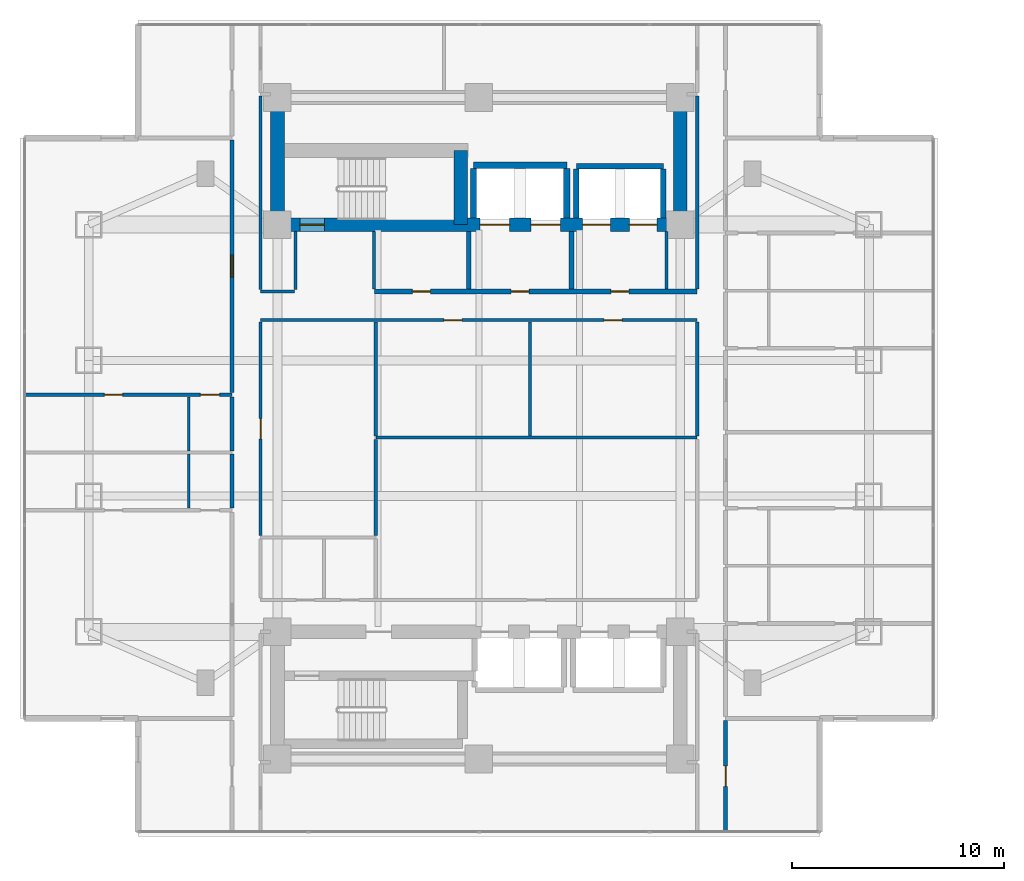
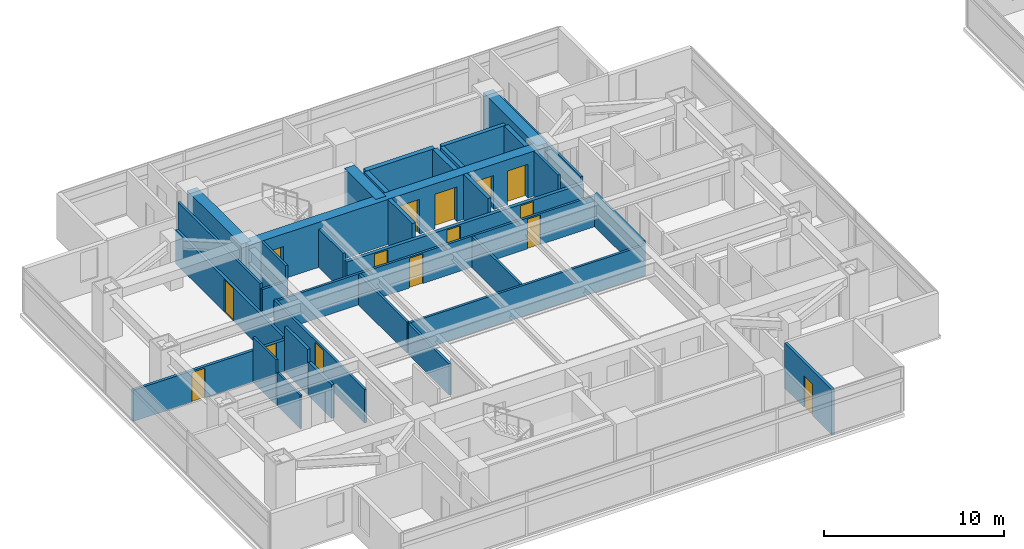
# One storey, part 13 of 24: 33 walls, 15 doors, 15 openings.
"""IFC4 building model written with IfcOpenShell, lengths in metres."""

from ifc_helpers import new_model, si_unit, direction, frame, frame_2d, origin, place, context, subcontext, project, spatial, rectangle, extrude, material, layer, layer_set, type_object, element, fill, save


model = new_model("IFC4")

# Units and contexts
model_context = context("Model", 3, precision=1e-05, world=origin(), true_north=direction((0.0, 1.0)))
body_context = subcontext(model_context, "Body", "Model", "MODEL_VIEW")
ifc_project = project(units=[si_unit("LENGTHUNIT", "METRE"), si_unit("AREAUNIT", "SQUARE_METRE"), si_unit("VOLUMEUNIT", "CUBIC_METRE"), si_unit("PLANEANGLEUNIT", "RADIAN"), si_unit("MASSUNIT", "GRAM", prefix="KILO")], contexts=[model_context])

# Site, building, storey
site_placement = place(None, origin())
site = spatial("IfcSite", under=ifc_project, at=site_placement, CompositionType="ELEMENT")
building_placement = place(site_placement, origin())
building = spatial("IfcBuilding", under=site, at=building_placement, Name="Mirazonda Arch Towers", CompositionType="ELEMENT")
storey_placement = place(building_placement, frame((0.0, 0.0, 62.0)))
storey = spatial("IfcBuildingStorey", under=building, at=storey_placement, Name="L17", CompositionType="ELEMENT", Elevation=62.0)

# Walls
ifc_material_1 = material(Name="Concrete C60/75", Category="concrete")
ifc_layer_1 = layer(ifc_material_1, 0.64990234375, Name="WALL-CORE-650")
ifc_layer_set_1 = layer_set([ifc_layer_1], Name="Concrete C60/75")
wall_type_1 = type_object("IfcWallType", Name="WALL-CORE-650", PredefinedType="SHEAR", material=ifc_layer_set_1)
for number, where, z_axis, x_axis, name in (
    (1, (11.0, 37.60009765625, 0.0), (0.0, 0.0, 1.0), (0.0, 1.0, 0.0), "L17 T1N-W Core Shear Wall"),
    (2, (30.0, 37.60009765625, 0.0), (0.0, 0.0, 1.0), (0.0, 1.0, 0.0), "L17 T1N-E Core Shear Wall"),
):
    element("IfcWall", number, at=place(storey_placement, frame(where, z_axis=z_axis, x_axis=x_axis)), inside=storey, type_object=wall_type_1, Name=name, PredefinedType="SHEAR", context=body_context, shape_type="SweptSolid", body=[
        extrude(rectangle(XDim=6.0, YDim=0.64990234375, at=frame_2d((3.0, 0.0))), origin(), (0.0, 0.0, 1.0), 3.06005859375),
    ])

# Wall, openings, doors
wall_1_placement = place(storey_placement, frame((11.0, 37.60009765625, 0.0), z_axis=(0.0, 0.0, 1.0), x_axis=(1.0, 0.0, 0.0)))
wall_1 = element("IfcWall", 3, at=wall_1_placement, inside=storey, type_object=wall_type_1, Name="L17 T1N-S Core Shear Wall", PredefinedType="SHEAR", context=body_context, shape_type="SweptSolid", body=[
    extrude(rectangle(XDim=19.0, YDim=0.64990234375, at=frame_2d((9.5, 0.0))), origin(), (0.0, 0.0, 1.0), 3.06005859375),
])
opening_1_placement = place(wall_1_placement, frame((1.06005859375, 0.0, 0.0)))
opening_1 = element("IfcOpeningElement", 4, at=opening_1_placement, cuts=wall_1, Name="Opening DR-135", PredefinedType="OPENING", context=body_context, shape_type="SweptSolid", body=[
    extrude(rectangle(XDim=1.14990234375, YDim=2.199951171875, at=frame_2d((0.574951171875, 1.10009765625))), frame((0.0, 0.3349609375, 0.0), z_axis=(0.0, -1.0, 0.0), x_axis=(1.0, 0.0, 0.0)), (0.0, 0.0, 1.0), 0.669921875),
])
opening_2_placement = place(wall_1_placement, frame((9.550048828125, 0.0, 0.0)))
opening_2 = element("IfcOpeningElement", 5, at=opening_2_placement, cuts=wall_1, Name="Opening LD-112", PredefinedType="OPENING", context=body_context, shape_type="SweptSolid", body=[
    extrude(rectangle(XDim=1.39990234375, YDim=2.35009765625, at=frame_2d((0.699951171875, 1.175048828125))), frame((0.0, 0.3349609375, 0.0), z_axis=(0.0, -1.0, 0.0), x_axis=(1.0, 0.0, 0.0)), (0.0, 0.0, 1.0), 0.669921875),
])
opening_3_placement = place(wall_1_placement, frame((11.949951171875, 0.0, 0.0)))
opening_3 = element("IfcOpeningElement", 6, at=opening_3_placement, cuts=wall_1, Name="Opening LD-112", PredefinedType="OPENING", context=body_context, shape_type="SweptSolid", body=[
    extrude(rectangle(XDim=1.39990234375, YDim=2.35009765625, at=frame_2d((0.699951171875, 1.175048828125))), frame((0.0, 0.3349609375, 0.0), z_axis=(0.0, -1.0, 0.0), x_axis=(1.0, 0.0, 0.0)), (0.0, 0.0, 1.0), 0.669921875),
])
opening_4_placement = place(wall_1_placement, frame((14.39990234375, 0.0, 0.0)))
opening_4 = element("IfcOpeningElement", 7, at=opening_4_placement, cuts=wall_1, Name="Opening LD-111", PredefinedType="OPENING", context=body_context, shape_type="SweptSolid", body=[
    extrude(rectangle(XDim=1.300048828125, YDim=2.300048828125, at=frame_2d((0.64990234375, 1.14990234375))), frame((0.0, 0.3349609375, 0.0), z_axis=(0.0, -1.0, 0.0), x_axis=(1.0, 0.0, 0.0)), (0.0, 0.0, 1.0), 0.669921875),
])
opening_5_placement = place(wall_1_placement, frame((16.60009765625, 0.0, 0.0)))
opening_5 = element("IfcOpeningElement", 8, at=opening_5_placement, cuts=wall_1, Name="Opening LD-111", PredefinedType="OPENING", context=body_context, shape_type="SweptSolid", body=[
    extrude(rectangle(XDim=1.300048828125, YDim=2.300048828125, at=frame_2d((0.64990234375, 1.14990234375))), frame((0.0, 0.3349609375, 0.0), z_axis=(0.0, -1.0, 0.0), x_axis=(1.0, 0.0, 0.0)), (0.0, 0.0, 1.0), 0.669921875),
])
ifc_material_2 = material(Name="Architectural Brushed Steel S355", Category="steel")
door_type_1 = type_object("IfcDoorType", Name="DOOR-LIFT-FFL-1400", OperationType="NOTDEFINED", PredefinedType="DOOR", material=ifc_material_2)
door_1_placement = place(opening_2_placement, origin())
door_1 = element("IfcDoor", 9, at=door_1_placement, inside=storey, type_object=door_type_1, Name="L17 Lift Landing Sliding Door FFL-T1", OperationType="DOUBLE_DOOR_SLIDING", OverallHeight=2.35009765625, OverallWidth=1.39990234375, PredefinedType="DOOR", context=body_context, shape_type="SweptSolid", body=[
    extrude(rectangle(XDim=1.39990234375, YDim=2.35009765625, at=frame_2d((0.699951171875, 1.175048828125))), frame((0.0, 0.02490234375, 0.0), z_axis=(0.0, -1.0, 0.0), x_axis=(1.0, 0.0, 0.0)), (0.0, 0.0, 1.0), 0.050048828125),
])
fill(opening_2, door_1)
door_2_placement = place(opening_3_placement, origin())
door_2 = element("IfcDoor", 10, at=door_2_placement, inside=storey, type_object=door_type_1, Name="L17 Lift Landing Sliding Door SVL-T1", OperationType="DOUBLE_DOOR_SLIDING", OverallHeight=2.35009765625, OverallWidth=1.39990234375, PredefinedType="DOOR", context=body_context, shape_type="SweptSolid", body=[
    extrude(rectangle(XDim=1.39990234375, YDim=2.35009765625, at=frame_2d((0.699951171875, 1.175048828125))), frame((0.0, 0.02490234375, 0.0), z_axis=(0.0, -1.0, 0.0), x_axis=(1.0, 0.0, 0.0)), (0.0, 0.0, 1.0), 0.050048828125),
])
fill(opening_3, door_2)
door_type_2 = type_object("IfcDoorType", Name="DOOR-LIFT-LAND-1300", OperationType="NOTDEFINED", PredefinedType="DOOR", material=ifc_material_2)
door_3_placement = place(opening_4_placement, origin())
door_3 = element("IfcDoor", 11, at=door_3_placement, inside=storey, type_object=door_type_2, Name="L17 Lift Landing Sliding Door PL-T1L1", OperationType="DOUBLE_DOOR_SLIDING", OverallHeight=2.300048828125, OverallWidth=1.300048828125, PredefinedType="DOOR", context=body_context, shape_type="SweptSolid", body=[
    extrude(rectangle(XDim=1.300048828125, YDim=2.300048828125, at=frame_2d((0.64990234375, 1.14990234375))), frame((0.0, 0.02490234375, 0.0), z_axis=(0.0, -1.0, 0.0), x_axis=(1.0, 0.0, 0.0)), (0.0, 0.0, 1.0), 0.050048828125),
])
fill(opening_4, door_3)
door_4_placement = place(opening_5_placement, origin())
door_4 = element("IfcDoor", 12, at=door_4_placement, inside=storey, type_object=door_type_2, Name="L17 Lift Landing Sliding Door PL-T1L2", OperationType="DOUBLE_DOOR_SLIDING", OverallHeight=2.300048828125, OverallWidth=1.300048828125, PredefinedType="DOOR", context=body_context, shape_type="SweptSolid", body=[
    extrude(rectangle(XDim=1.300048828125, YDim=2.300048828125, at=frame_2d((0.64990234375, 1.14990234375))), frame((0.0, 0.02490234375, 0.0), z_axis=(0.0, -1.0, 0.0), x_axis=(1.0, 0.0, 0.0)), (0.0, 0.0, 1.0), 0.050048828125),
])
fill(opening_5, door_4)
door_type_3 = type_object("IfcDoorType", Name="DOOR-STAIR-FD90-1150", OperationType="NOTDEFINED", PredefinedType="DOOR", material=ifc_material_2)
door_5_placement = place(opening_1_placement, origin())
door_5 = element("IfcDoor", 13, at=door_5_placement, inside=storey, type_object=door_type_3, Name="L17 Protected Exit Stair North Door", OperationType="SINGLE_SWING_LEFT", OverallHeight=2.199951171875, OverallWidth=1.14990234375, PredefinedType="DOOR", context=body_context, shape_type="SweptSolid", body=[
    extrude(rectangle(XDim=1.14990234375, YDim=2.199951171875, at=frame_2d((0.574951171875, 1.10009765625))), frame((0.0, 0.02490234375, 0.0), z_axis=(0.0, -1.0, 0.0), x_axis=(1.0, 0.0, 0.0)), (0.0, 0.0, 1.0), 0.050048828125),
])
fill(opening_1, door_5)

# Wall
wall_2_placement = place(storey_placement, frame((19.64990234375, 37.60009765625, 0.0), z_axis=(0.0, 0.0, 1.0), x_axis=(0.0, 1.0, 0.0)))
element("IfcWall", 14, at=wall_2_placement, inside=storey, type_object=wall_type_1, Name="L17 T1N-STE Core Shear Wall", PredefinedType="SHEAR", context=body_context, shape_type="SweptSolid", body=[
    extrude(rectangle(XDim=3.492919921875, YDim=0.64990234375, at=frame_2d((1.74658203125, 0.0))), origin(), (0.0, 0.0, 1.0), 3.06005859375),
])

# Wall, openings, doors
ifc_material_3 = material(Name="Concrete C40/50", Category="concrete")
ifc_layer_2 = layer(ifc_material_3, 0.219970703125, Name="WALL-FFL-220")
ifc_layer_set_2 = layer_set([ifc_layer_2], Name="Concrete C40/50")
wall_type_2 = type_object("IfcWallType", Name="WALL-FFL-220", PredefinedType="SOLIDWALL", material=ifc_layer_set_2)
wall_3_placement = place(storey_placement, frame((15.590087890625, 34.449951171875, 0.0), z_axis=(0.0, 0.0, 1.0), x_axis=(1.0, 0.0, 0.0)))
wall_3 = element("IfcWall", 15, at=wall_3_placement, inside=storey, type_object=wall_type_2, Name="L17 Interior Partition 043", PredefinedType="SOLIDWALL", context=body_context, shape_type="SweptSolid", body=[
    extrude(rectangle(XDim=15.2099609375, YDim=0.219970703125, at=frame_2d((7.60498046875, 0.0))), origin(), (0.0, 0.0, 1.0), 2.10400390625),
])
opening_6_placement = place(wall_3_placement, frame((6.43505859375, 0.0, 0.0)))
opening_6 = element("IfcOpeningElement", 16, at=opening_6_placement, cuts=wall_3, Name="Opening DR-128", PredefinedType="OPENING", context=body_context, shape_type="SweptSolid", body=[
    extrude(rectangle(XDim=0.85009765625, YDim=2.010009765625, at=frame_2d((0.425048828125, 1.0048828125))), frame((0.0, 0.119873046875, 0.0), z_axis=(0.0, -1.0, 0.0), x_axis=(1.0, 0.0, 0.0)), (0.0, 0.0, 1.0), 0.239990234375),
])
opening_7_placement = place(wall_3_placement, frame((11.135009765625, 0.0, 0.0)))
opening_7 = element("IfcOpeningElement", 17, at=opening_7_placement, cuts=wall_3, Name="Opening DR-128", PredefinedType="OPENING", context=body_context, shape_type="SweptSolid", body=[
    extrude(rectangle(XDim=0.85009765625, YDim=2.010009765625, at=frame_2d((0.425048828125, 1.0048828125))), frame((0.0, 0.119873046875, 0.0), z_axis=(0.0, -1.0, 0.0), x_axis=(1.0, 0.0, 0.0)), (0.0, 0.0, 1.0), 0.239990234375),
])
opening_8_placement = place(wall_3_placement, frame((1.77490234375, 0.0, 0.0)))
opening_8 = element("IfcOpeningElement", 18, at=opening_8_placement, cuts=wall_3, Name="Opening DR-128", PredefinedType="OPENING", context=body_context, shape_type="SweptSolid", body=[
    extrude(rectangle(XDim=0.85009765625, YDim=2.010009765625, at=frame_2d((0.425048828125, 1.0048828125))), frame((0.0, 0.119873046875, 0.0), z_axis=(0.0, -1.0, 0.0), x_axis=(1.0, 0.0, 0.0)), (0.0, 0.0, 1.0), 0.239990234375),
])
door_type_4 = type_object("IfcDoorType", Name="DOOR-RISER-FD60-850", OperationType="NOTDEFINED", PredefinedType="DOOR", material=ifc_material_2)
door_6_placement = place(opening_6_placement, origin())
door_6 = element("IfcDoor", 19, at=door_6_placement, inside=storey, type_object=door_type_4, Name="L17 Firefighting Lift Lobby Door", OperationType="SINGLE_SWING_RIGHT", OverallHeight=2.010009765625, OverallWidth=0.85009765625, PredefinedType="DOOR", context=body_context, shape_type="SweptSolid", body=[
    extrude(rectangle(XDim=0.85009765625, YDim=2.010009765625, at=frame_2d((0.425048828125, 1.0048828125))), frame((0.0, 0.02490234375, 0.0), z_axis=(0.0, -1.0, 0.0), x_axis=(1.0, 0.0, 0.0)), (0.0, 0.0, 1.0), 0.050048828125),
])
fill(opening_6, door_6)
door_7_placement = place(opening_7_placement, origin())
door_7 = element("IfcDoor", 20, at=door_7_placement, inside=storey, type_object=door_type_4, Name="L17 Passenger Lift Lobby North Door", OperationType="SINGLE_SWING_LEFT", OverallHeight=2.010009765625, OverallWidth=0.85009765625, PredefinedType="DOOR", context=body_context, shape_type="SweptSolid", body=[
    extrude(rectangle(XDim=0.85009765625, YDim=2.010009765625, at=frame_2d((0.425048828125, 1.0048828125))), frame((0.0, 0.02490234375, 0.0), z_axis=(0.0, -1.0, 0.0), x_axis=(1.0, 0.0, 0.0)), (0.0, 0.0, 1.0), 0.050048828125),
])
fill(opening_7, door_7)
door_8_placement = place(opening_8_placement, origin())
door_8 = element("IfcDoor", 21, at=door_8_placement, inside=storey, type_object=door_type_4, Name="L17 Housekeeping Linen Room Door", OperationType="SINGLE_SWING_RIGHT", OverallHeight=2.010009765625, OverallWidth=0.85009765625, PredefinedType="DOOR", context=body_context, shape_type="SweptSolid", body=[
    extrude(rectangle(XDim=0.85009765625, YDim=2.010009765625, at=frame_2d((0.425048828125, 1.0048828125))), frame((0.0, 0.02490234375, 0.0), z_axis=(0.0, -1.0, 0.0), x_axis=(1.0, 0.0, 0.0)), (0.0, 0.0, 1.0), 0.050048828125),
])
fill(opening_8, door_8)

# Walls
for number, where, z_axis, x_axis, name in (
    (22, (20.02490234375, 34.570068359375, 0.0), (0.0, 0.0, 1.0), (0.0, 1.0, 0.0), "L17 Interior Partition 083"),
    (23, (24.875, 34.570068359375, 0.0), (0.0, 0.0, 1.0), (0.0, 1.0, 0.0), "L17 Interior Partition 091"),
):
    element("IfcWall", number, at=place(storey_placement, frame(where, z_axis=z_axis, x_axis=x_axis)), inside=storey, type_object=wall_type_2, Name=name, PredefinedType="SOLIDWALL", context=body_context, shape_type="SweptSolid", body=[
        extrude(rectangle(XDim=2.7099609375, YDim=0.219970703125, at=frame_2d((1.35498046875, 0.0))), origin(), (0.0, 0.0, 1.0), 3.06005859375),
    ])
ifc_material_4 = material(Name="Fire-Rated Gypsum Stud Partition")
ifc_layer_3 = layer(ifc_material_4, 0.14990234375, Name="WALL-PART-CORR-150")
ifc_layer_set_3 = layer_set([ifc_layer_3], Name="Fire-Rated Gypsum Stud Partition")
wall_type_3 = type_object("IfcWallType", Name="WALL-PART-CORR-150", PredefinedType="PARTITIONING", material=ifc_layer_set_3)
wall_4_placement = place(storey_placement, frame((15.639892578125, 27.555908203125, 0.0), z_axis=(0.0, 0.0, 1.0), x_axis=(1.0, 0.0, 0.0)))
element("IfcWall", 24, at=wall_4_placement, inside=storey, type_object=wall_type_3, Name="L17 Interior Partition 031", PredefinedType="PARTITIONING", context=body_context, shape_type="SweptSolid", body=[
    extrude(rectangle(XDim=15.16015625, YDim=0.14990234375, at=frame_2d((7.580078125, 0.0))), origin(), (0.0, 0.0, 1.0), 2.10400390625),
])

# Wall, openings, doors
wall_5_placement = place(storey_placement, frame((10.199951171875, 33.10009765625, 0.0), z_axis=(0.0, 0.0, 1.0), x_axis=(1.0, 0.0, 0.0)))
wall_5 = element("IfcWall", 25, at=wall_5_placement, inside=storey, type_object=wall_type_3, Name="L17 Interior Partition 041", PredefinedType="PARTITIONING", context=body_context, shape_type="SweptSolid", body=[
    extrude(rectangle(XDim=20.60009765625, YDim=0.14990234375, at=frame_2d((10.300048828125, 0.0))), origin(), (0.0, 0.0, 1.0), 2.10400390625),
])
opening_9_placement = place(wall_5_placement, frame((8.653564453125, 0.0, 0.0)))
opening_9 = element("IfcOpeningElement", 26, at=opening_9_placement, cuts=wall_5, Name="Opening DR-128", PredefinedType="OPENING", context=body_context, shape_type="SweptSolid", body=[
    extrude(rectangle(XDim=0.85009765625, YDim=2.010009765625, at=frame_2d((0.425048828125, 1.0048828125))), frame((0.0, 0.0849609375, 0.0), z_axis=(0.0, -1.0, 0.0), x_axis=(1.0, 0.0, 0.0)), (0.0, 0.0, 1.0), 0.169921875),
])
opening_10_placement = place(wall_5_placement, frame((16.21337890625, 0.0, 0.0)))
opening_10 = element("IfcOpeningElement", 27, at=opening_10_placement, cuts=wall_5, Name="Opening DR-128", PredefinedType="OPENING", context=body_context, shape_type="SweptSolid", body=[
    extrude(rectangle(XDim=0.85009765625, YDim=2.010009765625, at=frame_2d((0.425048828125, 1.0048828125))), frame((0.0, 0.0849609375, 0.0), z_axis=(0.0, -1.0, 0.0), x_axis=(1.0, 0.0, 0.0)), (0.0, 0.0, 1.0), 0.169921875),
])
door_9_placement = place(opening_9_placement, origin())
door_9 = element("IfcDoor", 28, at=door_9_placement, inside=storey, type_object=door_type_4, Name="L17 Business Reading Study Door", OperationType="SINGLE_SWING_LEFT", OverallHeight=2.010009765625, OverallWidth=0.85009765625, PredefinedType="DOOR", context=body_context, shape_type="SweptSolid", body=[
    extrude(rectangle(XDim=0.85009765625, YDim=2.010009765625, at=frame_2d((0.425048828125, 1.0048828125))), frame((0.0, 0.02490234375, 0.0), z_axis=(0.0, -1.0, 0.0), x_axis=(1.0, 0.0, 0.0)), (0.0, 0.0, 1.0), 0.050048828125),
])
fill(opening_9, door_9)
door_10_placement = place(opening_10_placement, origin())
door_10 = element("IfcDoor", 29, at=door_10_placement, inside=storey, type_object=door_type_4, Name="L17 Private Meeting Suite Door", OperationType="SINGLE_SWING_RIGHT", OverallHeight=2.010009765625, OverallWidth=0.85009765625, PredefinedType="DOOR", context=body_context, shape_type="SweptSolid", body=[
    extrude(rectangle(XDim=0.85009765625, YDim=2.010009765625, at=frame_2d((0.425048828125, 1.0048828125))), frame((0.0, 0.02490234375, 0.0), z_axis=(0.0, -1.0, 0.0), x_axis=(1.0, 0.0, 0.0)), (0.0, 0.0, 1.0), 0.050048828125),
])
fill(opening_10, door_10)

# Wall
wall_6_placement = place(storey_placement, frame((10.199951171875, 34.449951171875, 0.0), z_axis=(0.0, 0.0, 1.0), x_axis=(1.0, 0.0, 0.0)))
element("IfcWall", 30, at=wall_6_placement, inside=storey, type_object=wall_type_3, Name="L17 Interior Partition 042", PredefinedType="PARTITIONING", context=body_context, shape_type="SweptSolid", body=[
    extrude(rectangle(XDim=1.60009765625, YDim=0.14990234375, at=frame_2d((0.800048828125, 0.0))), origin(), (0.0, 0.0, 1.0), 2.10400390625),
])

# Wall, opening, door
wall_7_placement = place(storey_placement, frame((10.206787109375, 22.93505859375, 0.0), z_axis=(0.0, 0.0, 1.0), x_axis=(0.0, 1.0, 0.0)))
wall_7 = element("IfcWall", 31, at=wall_7_placement, inside=storey, type_object=wall_type_3, Name="L17 Interior Partition 072", PredefinedType="PARTITIONING", context=body_context, shape_type="SweptSolid", body=[
    extrude(rectangle(XDim=10.079833984375, YDim=0.14990234375, at=frame_2d((5.0400390625, 0.0))), origin(), (0.0, 0.0, 1.0), 2.279052734375),
])
opening_11_placement = place(wall_7_placement, frame((4.56494140625, 0.0, 0.0)))
opening_11 = element("IfcOpeningElement", 32, at=opening_11_placement, cuts=wall_7, Name="Opening DR-104", PredefinedType="OPENING", context=body_context, shape_type="SweptSolid", body=[
    extrude(rectangle(XDim=0.949951171875, YDim=2.14990234375, at=frame_2d((0.47509765625, 1.074951171875))), frame((0.0, 0.0849609375, 0.0), z_axis=(0.0, -1.0, 0.0), x_axis=(1.0, 0.0, 0.0)), (0.0, 0.0, 1.0), 0.169921875),
])
door_type_5 = type_object("IfcDoorType", Name="DOOR-ROOM-950", OperationType="NOTDEFINED", PredefinedType="DOOR", material=ifc_material_2)
door_11_placement = place(opening_11_placement, origin())
door_11 = element("IfcDoor", 33, at=door_11_placement, inside=storey, type_object=door_type_5, Name="L17 L17 West Courtyard Salon Door", OperationType="SINGLE_SWING_LEFT", OverallHeight=2.14990234375, OverallWidth=0.949951171875, PredefinedType="DOOR", context=body_context, shape_type="SweptSolid", body=[
    extrude(rectangle(XDim=0.949951171875, YDim=2.14990234375, at=frame_2d((0.47509765625, 1.074951171875))), frame((0.0, 0.02490234375, 0.0), z_axis=(0.0, -1.0, 0.0), x_axis=(1.0, 0.0, 0.0)), (0.0, 0.0, 1.0), 0.050048828125),
])
fill(opening_11, door_11)

# Walls
wall_8_placement = place(storey_placement, frame((10.199951171875, 34.534912109375, 0.0), z_axis=(0.0, 0.0, 1.0), x_axis=(0.0, 1.0, 0.0)))
element("IfcWall", 34, at=wall_8_placement, inside=storey, type_object=wall_type_3, Name="L17 Interior Partition 073", PredefinedType="PARTITIONING", context=body_context, shape_type="SweptSolid", body=[
    extrude(rectangle(XDim=9.130126953125, YDim=0.14990234375, at=frame_2d((4.56494140625, 0.0))), origin(), (0.0, 0.0, 1.0), 2.43603515625),
])
wall_9_placement = place(storey_placement, frame((11.85009765625, 34.534912109375, 0.0), z_axis=(0.0, 0.0, 1.0), x_axis=(0.0, 1.0, 0.0)))
element("IfcWall", 35, at=wall_9_placement, inside=storey, type_object=wall_type_3, Name="L17 Interior Partition 075", PredefinedType="PARTITIONING", context=body_context, shape_type="SweptSolid", body=[
    extrude(rectangle(XDim=2.7451171875, YDim=0.14990234375, at=frame_2d((1.37255859375, 0.0))), origin(), (0.0, 0.0, 1.0), 3.06005859375),
])
wall_10_placement = place(storey_placement, frame((15.639892578125, 22.93505859375, 0.0), z_axis=(0.0, 0.0, 1.0), x_axis=(0.0, 1.0, 0.0)))
element("IfcWall", 36, at=wall_10_placement, inside=storey, type_object=wall_type_3, Name="L17 Interior Partition 078", PredefinedType="PARTITIONING", context=body_context, shape_type="SweptSolid", body=[
    extrude(rectangle(XDim=4.535888671875, YDim=0.14990234375, at=frame_2d((2.26806640625, 0.0))), origin(), (0.0, 0.0, 1.0), 2.10400390625),
])
wall_11_placement = place(storey_placement, frame((15.639892578125, 27.64111328125, 0.0), z_axis=(0.0, 0.0, 1.0), x_axis=(0.0, 1.0, 0.0)))
element("IfcWall", 37, at=wall_11_placement, inside=storey, type_object=wall_type_3, Name="L17 Interior Partition 079", PredefinedType="PARTITIONING", context=body_context, shape_type="SweptSolid", body=[
    extrude(rectangle(XDim=5.373779296875, YDim=0.14990234375, at=frame_2d((2.68701171875, 0.0))), origin(), (0.0, 0.0, 1.0), 2.10400390625),
])
wall_12_placement = place(storey_placement, frame((15.550048828125, 34.570068359375, 0.0), z_axis=(0.0, 0.0, 1.0), x_axis=(0.0, 1.0, 0.0)))
element("IfcWall", 38, at=wall_12_placement, inside=storey, type_object=wall_type_3, Name="L17 Interior Partition 080", PredefinedType="PARTITIONING", context=body_context, shape_type="SweptSolid", body=[
    extrude(rectangle(XDim=2.7099609375, YDim=0.14990234375, at=frame_2d((1.35498046875, 0.0))), origin(), (0.0, 0.0, 1.0), 2.589111328125),
])
wall_13_placement = place(storey_placement, frame((22.9169921875, 27.64111328125, 0.0), z_axis=(0.0, 0.0, 1.0), x_axis=(0.0, 1.0, 0.0)))
element("IfcWall", 39, at=wall_13_placement, inside=storey, type_object=wall_type_3, Name="L17 Interior Partition 087", PredefinedType="PARTITIONING", context=body_context, shape_type="SweptSolid", body=[
    extrude(rectangle(XDim=5.373779296875, YDim=0.14990234375, at=frame_2d((2.68701171875, 0.0))), origin(), (0.0, 0.0, 1.0), 2.10400390625),
])
wall_14_placement = place(storey_placement, frame((29.35009765625, 34.570068359375, 0.0), z_axis=(0.0, 0.0, 1.0), x_axis=(0.0, 1.0, 0.0)))
element("IfcWall", 40, at=wall_14_placement, inside=storey, type_object=wall_type_3, Name="L17 Interior Partition 094", PredefinedType="PARTITIONING", context=body_context, shape_type="SweptSolid", body=[
    extrude(rectangle(XDim=2.7099609375, YDim=0.14990234375, at=frame_2d((1.35498046875, 0.0))), origin(), (0.0, 0.0, 1.0), 3.06005859375),
])
wall_15_placement = place(storey_placement, frame((30.800048828125, 27.64111328125, 0.0), z_axis=(0.0, 0.0, 1.0), x_axis=(0.0, 1.0, 0.0)))
element("IfcWall", 41, at=wall_15_placement, inside=storey, type_object=wall_type_3, Name="L17 Interior Partition 099", PredefinedType="PARTITIONING", context=body_context, shape_type="SweptSolid", body=[
    extrude(rectangle(XDim=5.373779296875, YDim=0.14990234375, at=frame_2d((2.68701171875, 0.0))), origin(), (0.0, 0.0, 1.0), 2.279052734375),
])
wall_16_placement = place(storey_placement, frame((30.800048828125, 34.570068359375, 0.0), z_axis=(0.0, 0.0, 1.0), x_axis=(0.0, 1.0, 0.0)))
element("IfcWall", 42, at=wall_16_placement, inside=storey, type_object=wall_type_3, Name="L17 Interior Partition 100", PredefinedType="PARTITIONING", context=body_context, shape_type="SweptSolid", body=[
    extrude(rectangle(XDim=9.094970703125, YDim=0.14990234375, at=frame_2d((4.54736328125, 0.0))), origin(), (0.0, 0.0, 1.0), 2.43603515625),
])

# Wall, openings, doors
ifc_material_5 = material(Name="Fire-Rated Gypsum Twin-Stud Assembly")
ifc_layer_4 = layer(ifc_material_5, 0.179931640625, Name="WALL-PART-DEMISE-180")
ifc_layer_set_4 = layer_set([ifc_layer_4], Name="Fire-Rated Gypsum Twin-Stud Assembly")
wall_type_4 = type_object("IfcWallType", Name="WALL-PART-DEMISE-180", PredefinedType="PARTITIONING", material=ifc_layer_set_4)
wall_17_placement = place(storey_placement, frame((-0.919921875, 29.574951171875, 0.0), z_axis=(0.0, 0.0, 1.0), x_axis=(1.0, 0.0, 0.0)))
wall_17 = element("IfcWall", 43, at=wall_17_placement, inside=storey, type_object=wall_type_4, Name="L17 Interior Partition 034", PredefinedType="PARTITIONING", context=body_context, shape_type="SweptSolid", body=[
    extrude(rectangle(XDim=9.780029296875, YDim=0.179931640625, at=frame_2d((4.89013671875, 0.0))), origin(), (0.0, 0.0, 1.0), 2.125),
])
opening_12_placement = place(wall_17_placement, frame((3.764892578125, 0.0, 0.0)))
opening_12 = element("IfcOpeningElement", 44, at=opening_12_placement, cuts=wall_17, Name="Opening DR-128", PredefinedType="OPENING", context=body_context, shape_type="SweptSolid", body=[
    extrude(rectangle(XDim=0.85009765625, YDim=2.010009765625, at=frame_2d((0.425048828125, 1.0048828125))), frame((0.0, 0.099853515625, 0.0), z_axis=(0.0, -1.0, 0.0), x_axis=(1.0, 0.0, 0.0)), (0.0, 0.0, 1.0), 0.199951171875),
])
opening_13_placement = place(wall_17_placement, frame((8.2900390625, 0.0, 0.0)))
opening_13 = element("IfcOpeningElement", 45, at=opening_13_placement, cuts=wall_17, Name="Opening DR-120", PredefinedType="OPENING", context=body_context, shape_type="SweptSolid", body=[
    extrude(rectangle(XDim=0.89990234375, YDim=2.10009765625, at=frame_2d((0.449951171875, 1.050048828125))), frame((0.0, 0.099853515625, 0.0), z_axis=(0.0, -1.0, 0.0), x_axis=(1.0, 0.0, 0.0)), (0.0, 0.0, 1.0), 0.199951171875),
])
door_12_placement = place(opening_12_placement, origin())
door_12 = element("IfcDoor", 46, at=door_12_placement, inside=storey, type_object=door_type_4, Name="L17 Suite Bedroom 2 Door", OperationType="SINGLE_SWING_RIGHT", OverallHeight=2.010009765625, OverallWidth=0.85009765625, PredefinedType="DOOR", context=body_context, shape_type="SweptSolid", body=[
    extrude(rectangle(XDim=0.85009765625, YDim=2.010009765625, at=frame_2d((0.425048828125, 1.0048828125))), frame((0.0, 0.02490234375, 0.0), z_axis=(0.0, -1.0, 0.0), x_axis=(1.0, 0.0, 0.0)), (0.0, 0.0, 1.0), 0.050048828125),
])
fill(opening_12, door_12)
door_type_6 = type_object("IfcDoorType", Name="DOOR-WC-900", OperationType="NOTDEFINED", PredefinedType="DOOR", material=ifc_material_2)
door_13_placement = place(opening_13_placement, origin())
door_13 = element("IfcDoor", 47, at=door_13_placement, inside=storey, type_object=door_type_6, Name="L17 Suite En-Suite Bathroom 2 Door", OperationType="SINGLE_SWING_LEFT", OverallHeight=2.10009765625, OverallWidth=0.89990234375, PredefinedType="DOOR", context=body_context, shape_type="SweptSolid", body=[
    extrude(rectangle(XDim=0.89990234375, YDim=2.10009765625, at=frame_2d((0.449951171875, 1.050048828125))), frame((0.0, 0.02490234375, 0.0), z_axis=(0.0, -1.0, 0.0), x_axis=(1.0, 0.0, 0.0)), (0.0, 0.0, 1.0), 0.050048828125),
])
fill(opening_13, door_13)

# Walls
wall_18_placement = place(storey_placement, frame((8.860107421875, 24.235107421875, 0.0), z_axis=(0.0, 0.0, 1.0), x_axis=(0.0, 1.0, 0.0)))
element("IfcWall", 48, at=wall_18_placement, inside=storey, type_object=wall_type_4, Name="L17 Interior Partition 065", PredefinedType="PARTITIONING", context=body_context, shape_type="SweptSolid", body=[
    extrude(rectangle(XDim=2.54736328125, YDim=0.179931640625, at=frame_2d((1.273681640625, 0.0))), origin(), (0.0, 0.0, 1.0), 2.279052734375),
])
wall_19_placement = place(storey_placement, frame((8.860107421875, 26.927490234375, 0.0), z_axis=(0.0, 0.0, 1.0), x_axis=(0.0, 1.0, 0.0)))
element("IfcWall", 49, at=wall_19_placement, inside=storey, type_object=wall_type_4, Name="L17 Interior Partition 066", PredefinedType="PARTITIONING", context=body_context, shape_type="SweptSolid", body=[
    extrude(rectangle(XDim=2.547607421875, YDim=0.179931640625, at=frame_2d((1.27392578125, 0.0))), origin(), (0.0, 0.0, 1.0), 3.06005859375),
])

# Wall, opening, door
wall_20_placement = place(storey_placement, frame((8.860107421875, 29.675048828125, 0.0), z_axis=(0.0, 0.0, 1.0), x_axis=(0.0, 1.0, 0.0)))
wall_20 = element("IfcWall", 50, at=wall_20_placement, inside=storey, type_object=wall_type_4, Name="L17 Interior Partition 067", PredefinedType="PARTITIONING", context=body_context, shape_type="SweptSolid", body=[
    extrude(rectangle(XDim=11.9189453125, YDim=0.179931640625, at=frame_2d((5.95947265625, 0.0))), origin(), (0.0, 0.0, 1.0), 2.279052734375),
])
opening_14_placement = place(wall_20_placement, frame((5.4345703125, 0.0, 0.0)))
opening_14 = element("IfcOpeningElement", 51, at=opening_14_placement, cuts=wall_20, Name="Opening DR-121", PredefinedType="OPENING", context=body_context, shape_type="SweptSolid", body=[
    extrude(rectangle(XDim=1.050048828125, YDim=2.199951171875, at=frame_2d((0.52490234375, 1.10009765625))), frame((0.0, 0.099853515625, 0.0), z_axis=(0.0, -1.0, 0.0), x_axis=(1.0, 0.0, 0.0)), (0.0, 0.0, 1.0), 0.199951171875),
])
door_type_7 = type_object("IfcDoorType", Name="DOOR-SUITE-FD60-1050", OperationType="NOTDEFINED", PredefinedType="DOOR", material=ifc_material_2)
door_14_placement = place(opening_14_placement, origin())
door_14 = element("IfcDoor", 52, at=door_14_placement, inside=storey, type_object=door_type_7, Name="L17 Presidential Hotel Suite 2 Door", OperationType="SINGLE_SWING_LEFT", OverallHeight=2.199951171875, OverallWidth=1.050048828125, PredefinedType="DOOR", context=body_context, shape_type="SweptSolid", body=[
    extrude(rectangle(XDim=1.050048828125, YDim=2.199951171875, at=frame_2d((0.52490234375, 1.10009765625))), frame((0.0, 0.02490234375, 0.0), z_axis=(0.0, -1.0, 0.0), x_axis=(1.0, 0.0, 0.0)), (0.0, 0.0, 1.0), 0.050048828125),
])
fill(opening_14, door_14)

wall_21_placement = place(storey_placement, frame((32.139892578125, 8.966064453125, 0.0), z_axis=(0.0, 0.0, 1.0), x_axis=(0.0, 1.0, 0.0)))
wall_21 = element("IfcWall", 53, at=wall_21_placement, inside=storey, type_object=wall_type_4, Name="L17 Interior Partition 102", PredefinedType="PARTITIONING", context=body_context, shape_type="SweptSolid", body=[
    extrude(rectangle(XDim=5.239990234375, YDim=0.179931640625, at=frame_2d((2.6201171875, 0.0))), origin(), (0.0, 0.0, 1.0), 3.06005859375),
])
opening_15_placement = place(wall_21_placement, frame((2.14501953125, 0.0, 0.0)))
opening_15 = element("IfcOpeningElement", 54, at=opening_15_placement, cuts=wall_21, Name="Opening DR-104", PredefinedType="OPENING", context=body_context, shape_type="SweptSolid", body=[
    extrude(rectangle(XDim=0.949951171875, YDim=2.14990234375, at=frame_2d((0.47509765625, 1.074951171875))), frame((0.0, 0.099853515625, 0.0), z_axis=(0.0, -1.0, 0.0), x_axis=(1.0, 0.0, 0.0)), (0.0, 0.0, 1.0), 0.199951171875),
])
door_15_placement = place(opening_15_placement, origin())
door_15 = element("IfcDoor", 55, at=door_15_placement, inside=storey, type_object=door_type_5, Name="L17 South Horizon Lounge Alcove East Door", OperationType="SINGLE_SWING_LEFT", OverallHeight=2.14990234375, OverallWidth=0.949951171875, PredefinedType="DOOR", context=body_context, shape_type="SweptSolid", body=[
    extrude(rectangle(XDim=0.949951171875, YDim=2.14990234375, at=frame_2d((0.47509765625, 1.074951171875))), frame((0.0, 0.02490234375, 0.0), z_axis=(0.0, -1.0, 0.0), x_axis=(1.0, 0.0, 0.0)), (0.0, 0.0, 1.0), 0.050048828125),
])
fill(opening_15, door_15)

# Walls
ifc_material_6 = material(Name="Acoustic Fire-Rated Gypsum Partition")
ifc_layer_5 = layer(ifc_material_6, 0.125, Name="WALL-PART-UNIT-125")
ifc_layer_set_5 = layer_set([ifc_layer_5], Name="Acoustic Fire-Rated Gypsum Partition")
wall_type_5 = type_object("IfcWallType", Name="WALL-PART-UNIT-125", PredefinedType="PARTITIONING", material=ifc_layer_set_5)
wall_22_placement = place(storey_placement, frame((6.820068359375, 24.235107421875, 0.0), z_axis=(0.0, 0.0, 1.0), x_axis=(0.0, 1.0, 0.0)))
element("IfcWall", 56, at=wall_22_placement, inside=storey, type_object=wall_type_5, Name="L17 Interior Partition 061", PredefinedType="PARTITIONING", context=body_context, shape_type="SweptSolid", body=[
    extrude(rectangle(XDim=2.54736328125, YDim=0.125, at=frame_2d((1.273681640625, 0.0))), origin(), (0.0, 0.0, 1.0), 2.279052734375),
])
wall_23_placement = place(storey_placement, frame((6.820068359375, 26.927490234375, 0.0), z_axis=(0.0, 0.0, 1.0), x_axis=(0.0, 1.0, 0.0)))
element("IfcWall", 57, at=wall_23_placement, inside=storey, type_object=wall_type_5, Name="L17 Interior Partition 062", PredefinedType="PARTITIONING", context=body_context, shape_type="SweptSolid", body=[
    extrude(rectangle(XDim=2.547607421875, YDim=0.125, at=frame_2d((1.27392578125, 0.0))), origin(), (0.0, 0.0, 1.0), 3.06005859375),
])
ifc_layer_6 = layer(ifc_material_3, 0.25, Name="WALL-SHAFT-250")
ifc_layer_set_6 = layer_set([ifc_layer_6], Name="Concrete C40/50")
wall_type_6 = type_object("IfcWallType", Name="WALL-SHAFT-250", PredefinedType="SOLIDWALL", material=ifc_layer_set_6)
wall_24_placement = place(storey_placement, frame((25.10009765625, 40.35009765625, 0.0), z_axis=(0.0, 0.0, 1.0), x_axis=(1.0, 0.0, 0.0)))
element("IfcWall", 58, at=wall_24_placement, inside=storey, type_object=wall_type_6, Name="L17 Interior Partition 055", PredefinedType="SOLIDWALL", context=body_context, shape_type="SweptSolid", body=[
    extrude(rectangle(XDim=4.099853515625, YDim=0.25, at=frame_2d((2.0498046875, 0.0))), origin(), (0.0, 0.0, 1.0), 3.06005859375),
])
for number, where, z_axis, x_axis, name in (
    (59, (25.10009765625, 37.919921875, 0.0), (0.0, 0.0, 1.0), (0.0, 1.0, 0.0), "L17 Interior Partition 092"),
    (60, (29.199951171875, 37.919921875, 0.0), (0.0, 0.0, 1.0), (0.0, 1.0, 0.0), "L17 Interior Partition 095"),
):
    element("IfcWall", number, at=place(storey_placement, frame(where, z_axis=z_axis, x_axis=x_axis)), inside=storey, type_object=wall_type_6, Name=name, PredefinedType="SOLIDWALL", context=body_context, shape_type="SweptSolid", body=[
        extrude(rectangle(XDim=2.295166015625, YDim=0.25, at=frame_2d((1.1474609375, 0.0))), origin(), (0.0, 0.0, 1.0), 3.06005859375),
    ])
ifc_material_7 = material(Name="Concrete C50/60", Category="concrete")
ifc_layer_7 = layer(ifc_material_7, 0.300048828125, Name="WALL-SHAFT-300")
ifc_layer_set_7 = layer_set([ifc_layer_7], Name="Concrete C50/60")
wall_type_7 = type_object("IfcWallType", Name="WALL-SHAFT-300", PredefinedType="SOLIDWALL", material=ifc_layer_set_7)
wall_25_placement = place(storey_placement, frame((20.25, 40.39990234375, 0.0), z_axis=(0.0, 0.0, 1.0), x_axis=(1.0, 0.0, 0.0)))
element("IfcWall", 61, at=wall_25_placement, inside=storey, type_object=wall_type_7, Name="L17 Interior Partition 056", PredefinedType="SOLIDWALL", context=body_context, shape_type="SweptSolid", body=[
    extrude(rectangle(XDim=4.39990234375, YDim=0.300048828125, at=frame_2d((2.199951171875, 0.0))), origin(), (0.0, 0.0, 1.0), 3.06005859375),
])
for number, where, z_axis, x_axis, name in (
    (62, (20.25, 37.919921875, 0.0), (0.0, 0.0, 1.0), (0.0, 1.0, 0.0), "L17 Interior Partition 086"),
    (63, (24.64990234375, 37.919921875, 0.0), (0.0, 0.0, 1.0), (0.0, 1.0, 0.0), "L17 Interior Partition 089"),
):
    element("IfcWall", number, at=place(storey_placement, frame(where, z_axis=z_axis, x_axis=x_axis)), inside=storey, type_object=wall_type_7, Name=name, PredefinedType="SOLIDWALL", context=body_context, shape_type="SweptSolid", body=[
        extrude(rectangle(XDim=2.320068359375, YDim=0.300048828125, at=frame_2d((1.16015625, 0.0))), origin(), (0.0, 0.0, 1.0), 3.06005859375),
    ])

save(model, "model.ifc")
